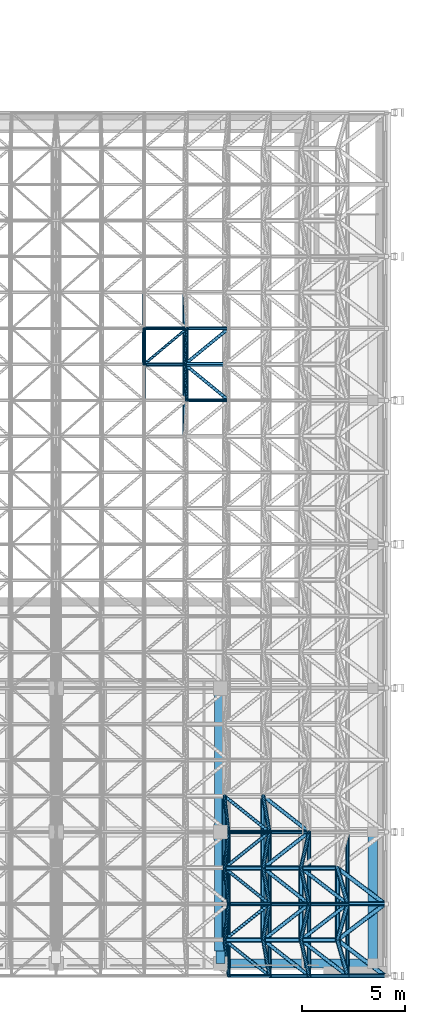
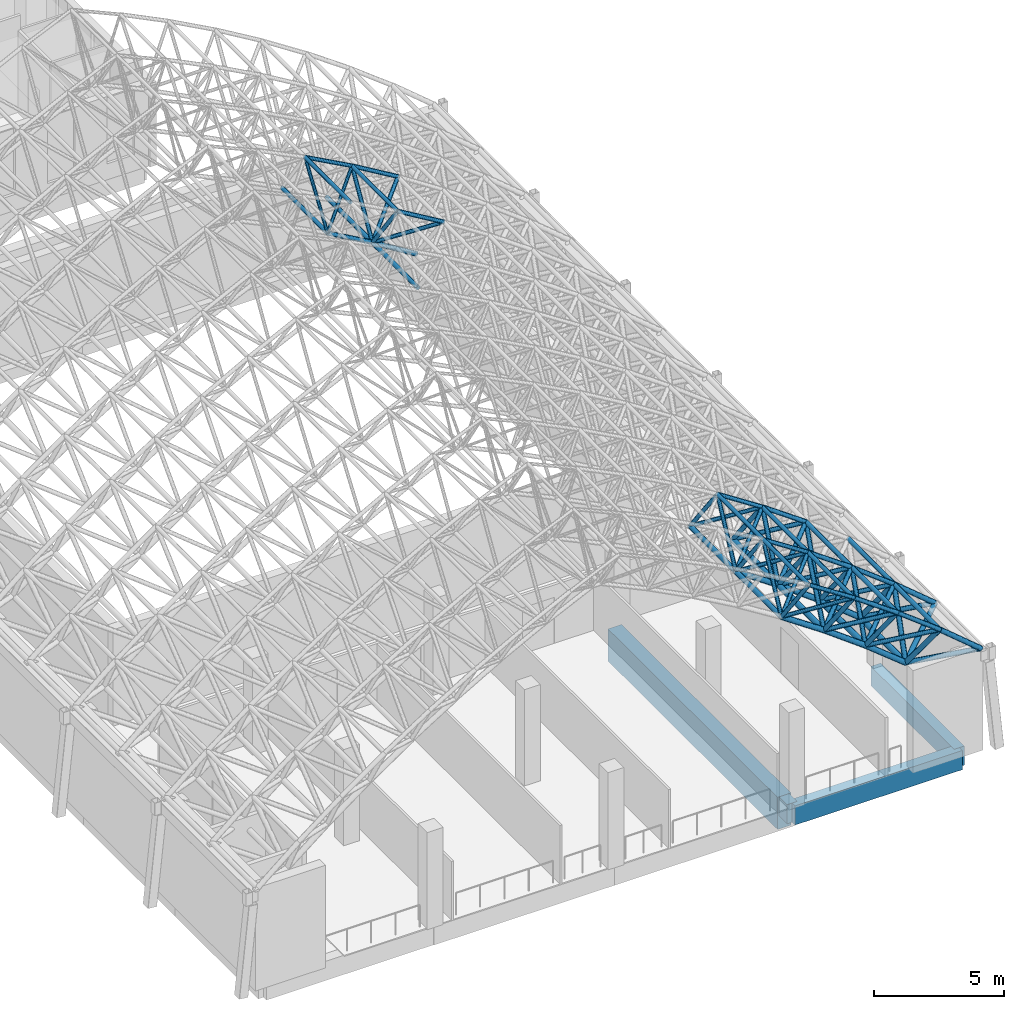
# One storey, part 47 of 141: 79 members, 4 beams.
"""IFC4 building model written with IfcOpenShell, lengths in metres."""

from ifc_helpers import new_model, si_unit, direction, frame, origin, origin_2d, place, context, subcontext, project, spatial, rectangle, hollow_circle, extrude, material, material_profile, profile_set, type_object, element, save


model = new_model("IFC4")

# Units and contexts
model_context = context("Model", 3, precision=1e-05, world=origin(), true_north=direction((0.0, 1.0)))
body_context = subcontext(model_context, "Body", "Model", "MODEL_VIEW")
ifc_project = project(units=[si_unit("LENGTHUNIT", "METRE"), si_unit("AREAUNIT", "SQUARE_METRE"), si_unit("VOLUMEUNIT", "CUBIC_METRE"), si_unit("PLANEANGLEUNIT", "RADIAN"), si_unit("MASSUNIT", "GRAM", prefix="KILO")], contexts=[model_context])

# Site, building, storey
site_placement = place(None, origin())
site = spatial("IfcSite", under=ifc_project, at=site_placement, CompositionType="ELEMENT")
building_placement = place(site_placement, origin())
building = spatial("IfcBuilding", under=site, at=building_placement, Name="Lantern Court Media Centre", CompositionType="ELEMENT")
storey_placement = place(building_placement, frame((0.0, 0.0, 9.60009765625)))
storey = spatial("IfcBuildingStorey", under=building, at=storey_placement, Name="L02", CompositionType="ELEMENT", Elevation=9.60009765625)

# Beams
ifc_material_1 = material(Name="Concrete C35", Category="concrete")
ifc_material_profile_1 = material_profile(ifc_material_1, rectangle(XDim=0.449951171875, YDim=0.89990234375, at=origin_2d()), Name="RC 450x900")
ifc_profile_set_1 = profile_set([ifc_material_profile_1], Name="Concrete C35")
beam_type_1 = type_object("IfcBeamType", Name="RC BEAM 450x900", PredefinedType="BEAM", material=ifc_profile_set_1)
beam_1_placement = place(storey_placement, frame((96.0, -1.39990234375, -0.4501953125), z_axis=(1.0, 0.0, 0.0), x_axis=(0.0, 1.0, 0.0)))
element("IfcBeam", 1, at=beam_1_placement, inside=storey, type_object=beam_type_1, Name="HB-V2-L02-FX0-3", PredefinedType="BEAM", context=body_context, shape_type="SweptSolid", body=[
    extrude(rectangle(XDim=0.449951171875, YDim=0.89990234375, at=origin_2d()), origin(), (0.0, 0.0, 1.0), 7.39990234375),
])
beam_2_placement = place(storey_placement, frame((96.0, -1.39990234375, -0.4501953125), z_axis=(0.0, 1.0, 0.0), x_axis=(-1.0, 0.0, 0.0)))
element("IfcBeam", 2, at=beam_2_placement, inside=storey, type_object=beam_type_1, Name="HB-V2-L02-FY3-0", PredefinedType="BEAM", context=body_context, shape_type="SweptSolid", body=[
    extrude(rectangle(XDim=0.449951171875, YDim=0.89990234375, at=origin_2d()), origin(), (0.0, 0.0, 1.0), 0.599853515625),
])
beam_3_placement = place(storey_placement, frame((103.39990234375, -1.39990234375, -0.4501953125), z_axis=(0.0, 1.0, 0.0), x_axis=(-1.0, 0.0, 0.0)))
element("IfcBeam", 3, at=beam_3_placement, inside=storey, type_object=beam_type_1, Name="HB-V2-L02-FY4-0", PredefinedType="BEAM", context=body_context, shape_type="SweptSolid", body=[
    extrude(rectangle(XDim=0.449951171875, YDim=0.89990234375, at=origin_2d()), origin(), (0.0, 0.0, 1.0), 6.39990234375),
])
ifc_material_profile_2 = material_profile(ifc_material_1, rectangle(XDim=0.60009765625, YDim=1.5, at=origin_2d()), Name="RC 600x1500")
ifc_profile_set_2 = profile_set([ifc_material_profile_2], Name="Concrete C35")
beam_type_2 = type_object("IfcBeamType", Name="RC BEAM 600x1500", PredefinedType="BEAM", material=ifc_profile_set_2)
beam_4_placement = place(storey_placement, frame((96.0, -0.800048828125, -0.75), z_axis=(0.0, 1.0, 0.0), x_axis=(-1.0, 0.0, 0.0)))
element("IfcBeam", 4, at=beam_4_placement, inside=storey, type_object=beam_type_2, Name="TR-V2-L02-31", PredefinedType="BEAM", context=body_context, shape_type="SweptSolid", body=[
    extrude(rectangle(XDim=0.60009765625, YDim=1.5, at=origin_2d()), origin(), (0.0, 0.0, 1.0), 13.0),
])

# Members
ifc_material_2 = material(Name="Steel S355J2 (EN 10025-2)", Category="steel")
ifc_material_profile_3 = material_profile(ifc_material_2, hollow_circle(Radius=0.0888671875, WallThickness=0.008056640625, at=origin_2d()), Name="Studio Hall bottom CHS 177.8x8")
ifc_profile_set_3 = profile_set([ifc_material_profile_3], Name="Steel S355J2 (EN 10025-2)")
member_type_1 = type_object("IfcMemberType", Name="Studio Hall bottom CHS 177.8x8", PredefinedType="CHORD", material=ifc_profile_set_3)
member_1_placement = place(storey_placement, frame((92.275634765625, 27.75, 10.2939453125), z_axis=(0.0, 1.0, 0.0), x_axis=(-1.0, 0.0, 0.0)))
element("IfcMember", 5, at=member_1_placement, inside=storey, type_object=member_type_1, Name="Studio Hall bottom chord 11-09", PredefinedType="CHORD", context=body_context, shape_type="SweptSolid", body=[
    extrude(hollow_circle(Radius=0.0888671875, WallThickness=0.008056640625, at=origin_2d()), origin(), (0.0, 0.0, 1.0), 3.5),
])
ifc_material_profile_4 = material_profile(ifc_material_2, hollow_circle(Radius=0.096923828125, WallThickness=0.008056640625, at=origin_2d()), Name="Studio Hall bottom CHS 193.7x8")
ifc_profile_set_4 = profile_set([ifc_material_profile_4], Name="Steel S355J2 (EN 10025-2)")
member_type_2 = type_object("IfcMemberType", Name="Studio Hall bottom CHS 193.7x8", PredefinedType="CHORD", material=ifc_profile_set_4)
for number, where, z_axis, x_axis, name in (
    (6, (94.25634765625, 24.25, 9.162109375), (0.0, 1.0, 0.0), (-1.0, 0.0, 0.0), "Studio Hall bottom chord 12-08"),
    (7, (94.25634765625, 27.75, 9.162109375), (0.0, 1.0, 0.0), (-1.0, 0.0, 0.0), "Studio Hall bottom chord 12-09"),
):
    element("IfcMember", number, at=place(storey_placement, frame(where, z_axis=z_axis, x_axis=x_axis)), inside=storey, type_object=member_type_2, Name=name, PredefinedType="CHORD", context=body_context, shape_type="SweptSolid", body=[
        extrude(hollow_circle(Radius=0.096923828125, WallThickness=0.008056640625, at=origin_2d()), origin(), (0.0, 0.0, 1.0), 3.5),
    ])
member_2_placement = place(storey_placement, frame((92.275634765625, 27.75, 10.2939453125), z_axis=(0.868243142124, 0.0, -0.496138938357), x_axis=(0.0, 1.0, 0.0)))
element("IfcMember", 8, at=member_2_placement, inside=storey, type_object=member_type_2, Name="Studio Hall bottom chord 11-09 across", PredefinedType="CHORD", context=body_context, shape_type="SweptSolid", body=[
    extrude(hollow_circle(Radius=0.096923828125, WallThickness=0.008056640625, at=origin_2d()), origin(), (0.0, 0.0, 1.0), 2.28125),
])
ifc_material_profile_5 = material_profile(ifc_material_2, hollow_circle(Radius=0.109619140625, WallThickness=0.010009765625, at=origin_2d()), Name="Studio Hall bottom CHS 219.1x10")
ifc_profile_set_5 = profile_set([ifc_material_profile_5], Name="Steel S355J2 (EN 10025-2)")
member_type_3 = type_object("IfcMemberType", Name="Studio Hall bottom CHS 219.1x10", PredefinedType="CHORD", material=ifc_profile_set_5)
for number, where, z_axis, x_axis, name in (
    (9, (96.19091796875, -0.25, 7.953125), (0.0, 1.0, 0.0), (-1.0, 0.0, 0.0), "Studio Hall bottom chord 13-01"),
    (10, (96.19091796875, 3.25, 7.953125), (0.0, 1.0, 0.0), (-1.0, 0.0, 0.0), "Studio Hall bottom chord 13-02"),
):
    element("IfcMember", number, at=place(storey_placement, frame(where, z_axis=z_axis, x_axis=x_axis)), inside=storey, type_object=member_type_3, Name=name, PredefinedType="CHORD", context=body_context, shape_type="SweptSolid", body=[
        extrude(hollow_circle(Radius=0.109619140625, WallThickness=0.010009765625, at=origin_2d()), origin(), (0.0, 0.0, 1.0), 3.5),
    ])
member_3_placement = place(storey_placement, frame((94.25634765625, 27.75, 9.162109375), z_axis=(0.848022352453, 0.0, -0.529960460544), x_axis=(0.0, 1.0, 0.0)))
element("IfcMember", 11, at=member_3_placement, inside=storey, type_object=member_type_3, Name="Studio Hall bottom chord 12-09 across", PredefinedType="CHORD", context=body_context, shape_type="SweptSolid", body=[
    extrude(hollow_circle(Radius=0.109619140625, WallThickness=0.010009765625, at=origin_2d()), origin(), (0.0, 0.0, 1.0), 2.28125),
])
ifc_material_profile_6 = material_profile(ifc_material_2, hollow_circle(Radius=0.122314453125, WallThickness=0.012451171875, at=origin_2d()), Name="Studio Hall bottom CHS 244.5x12.5")
ifc_profile_set_6 = profile_set([ifc_material_profile_6], Name="Steel S355J2 (EN 10025-2)")
member_type_4 = type_object("IfcMemberType", Name="Studio Hall bottom CHS 244.5x12.5", PredefinedType="CHORD", material=ifc_profile_set_6)
for number, where, z_axis, x_axis, name in (
    (12, (98.076171875, -0.25, 6.66845703125), (0.0, 1.0, 0.0), (-1.0, 0.0, 0.0), "Studio Hall bottom chord 14-01"),
    (13, (98.076171875, 3.25, 6.66845703125), (0.0, 1.0, 0.0), (-1.0, 0.0, 0.0), "Studio Hall bottom chord 14-02"),
):
    element("IfcMember", number, at=place(storey_placement, frame(where, z_axis=z_axis, x_axis=x_axis)), inside=storey, type_object=member_type_4, Name=name, PredefinedType="CHORD", context=body_context, shape_type="SweptSolid", body=[
        extrude(hollow_circle(Radius=0.122314453125, WallThickness=0.012451171875, at=origin_2d()), origin(), (0.0, 0.0, 1.0), 3.5),
    ])
for number, where, z_axis, x_axis, name in (
    (14, (96.19091796875, -0.25, 7.953125), (0.826376743552, 0.0, -0.563117641099), (0.0, 1.0, 0.0), "Studio Hall bottom chord 13-01 across"),
    (15, (96.19091796875, 3.25, 7.953125), (0.826376743552, 0.0, -0.563117641099), (0.0, 1.0, 0.0), "Studio Hall bottom chord 13-02 across"),
):
    element("IfcMember", number, at=place(storey_placement, frame(where, z_axis=z_axis, x_axis=x_axis)), inside=storey, type_object=member_type_4, Name=name, PredefinedType="CHORD", context=body_context, shape_type="SweptSolid", body=[
        extrude(hollow_circle(Radius=0.122314453125, WallThickness=0.012451171875, at=origin_2d()), origin(), (0.0, 0.0, 1.0), 2.28125),
    ])
ifc_material_profile_7 = material_profile(ifc_material_2, hollow_circle(Radius=0.122314453125, WallThickness=0.01611328125, at=origin_2d()), Name="Studio Hall bottom CHS 244.5x16")
ifc_profile_set_7 = profile_set([ifc_material_profile_7], Name="Steel S355J2 (EN 10025-2)")
member_type_5 = type_object("IfcMemberType", Name="Studio Hall bottom CHS 244.5x16", PredefinedType="CHORD", material=ifc_profile_set_7)
member_4_placement = place(storey_placement, frame((99.909423828125, -0.25, 5.310546875), z_axis=(0.0, 1.0, 0.0), x_axis=(-1.0, 0.0, 0.0)))
element("IfcMember", 16, at=member_4_placement, inside=storey, type_object=member_type_5, Name="Studio Hall bottom chord 15-01", PredefinedType="CHORD", context=body_context, shape_type="SweptSolid", body=[
    extrude(hollow_circle(Radius=0.122314453125, WallThickness=0.01611328125, at=origin_2d()), origin(), (0.0, 0.0, 1.0), 3.5),
])
for number, where, z_axis, x_axis, name in (
    (17, (98.076171875, -0.25, 6.66845703125), (0.803568567589, 0.0, -0.59521219509), (0.0, 1.0, 0.0), "Studio Hall bottom chord 14-01 across"),
    (18, (98.076171875, 3.25, 6.66845703125), (0.803568567589, 0.0, -0.59521219509), (0.0, 1.0, 0.0), "Studio Hall bottom chord 14-02 across"),
):
    element("IfcMember", number, at=place(storey_placement, frame(where, z_axis=z_axis, x_axis=x_axis)), inside=storey, type_object=member_type_5, Name=name, PredefinedType="CHORD", context=body_context, shape_type="SweptSolid", body=[
        extrude(hollow_circle(Radius=0.122314453125, WallThickness=0.01611328125, at=origin_2d()), origin(), (0.0, 0.0, 1.0), 2.281494140625),
    ])
ifc_material_profile_8 = material_profile(ifc_material_2, hollow_circle(Radius=0.122314453125, WallThickness=0.02001953125, at=origin_2d()), Name="Studio Hall bottom CHS 244.5x20")
ifc_profile_set_8 = profile_set([ifc_material_profile_8], Name="Steel S355J2 (EN 10025-2)")
member_type_6 = type_object("IfcMemberType", Name="Studio Hall bottom CHS 244.5x20", PredefinedType="CHORD", material=ifc_profile_set_8)
member_5_placement = place(storey_placement, frame((101.6875, -0.25, 3.881591796875), z_axis=(0.0, 1.0, 0.0), x_axis=(-1.0, 0.0, 0.0)))
element("IfcMember", 19, at=member_5_placement, inside=storey, type_object=member_type_6, Name="Studio Hall bottom chord 16-01", PredefinedType="CHORD", context=body_context, shape_type="SweptSolid", body=[
    extrude(hollow_circle(Radius=0.122314453125, WallThickness=0.02001953125, at=origin_2d()), origin(), (0.0, 0.0, 1.0), 3.5),
])
for number, where, z_axis, x_axis, name in (
    (20, (99.909423828125, -0.25, 5.310546875), (0.779478138425, 0.0, -0.626429430757), (0.0, 1.0, 0.0), "Studio Hall bottom chord 15-01 across"),
    (21, (99.909423828125, 3.25, 5.310546875), (0.779478138425, 0.0, -0.626429430757), (0.0, 1.0, 0.0), "Studio Hall bottom chord 15-02 across"),
):
    element("IfcMember", number, at=place(storey_placement, frame(where, z_axis=z_axis, x_axis=x_axis)), inside=storey, type_object=member_type_6, Name=name, PredefinedType="CHORD", context=body_context, shape_type="SweptSolid", body=[
        extrude(hollow_circle(Radius=0.122314453125, WallThickness=0.02001953125, at=origin_2d()), origin(), (0.0, 0.0, 1.0), 2.281005859375),
    ])
ifc_material_profile_9 = material_profile(ifc_material_2, hollow_circle(Radius=0.06982421875, WallThickness=0.00634765625, at=origin_2d()), Name="Studio Hall diagonal CHS 139.7x6.3")
ifc_profile_set_9 = profile_set([ifc_material_profile_9], Name="Steel S355J2 (EN 10025-2)")
member_type_7 = type_object("IfcMemberType", Name="Studio Hall diagonal CHS 139.7x6.3", PredefinedType="BRACE", material=ifc_profile_set_9)
for number, where, z_axis, x_axis, name in (
    (22, (92.275634765625, 27.75, 10.2939453125), (0.686219606918, 0.575300835367, 0.445119759061), (-0.642456097081, 0.76632249303, 0.0), "Studio Hall diagonal 11-09-3"),
    (23, (92.275634765625, 27.75, 10.2939453125), (0.002728673556, 0.575268589684, 0.817960025957), (-0.999988750725, 0.004743250213, 0.0), "Studio Hall diagonal 11-09-4"),
):
    element("IfcMember", number, at=place(storey_placement, frame(where, z_axis=z_axis, x_axis=x_axis)), inside=storey, type_object=member_type_7, Name=name, PredefinedType="BRACE", context=body_context, shape_type="SweptSolid", body=[
        extrude(hollow_circle(Radius=0.06982421875, WallThickness=0.00634765625, at=origin_2d()), origin(), (0.0, 0.0, 1.0), 3.0419921875),
    ])
ifc_material_profile_10 = material_profile(ifc_material_2, hollow_circle(Radius=0.084228515625, WallThickness=0.00634765625, at=origin_2d()), Name="Studio Hall diagonal CHS 168.3x6.3")
ifc_profile_set_10 = profile_set([ifc_material_profile_10], Name="Steel S355J2 (EN 10025-2)")
member_type_8 = type_object("IfcMemberType", Name="Studio Hall diagonal CHS 168.3x6.3", PredefinedType="BRACE", material=ifc_profile_set_10)
for number, where, z_axis, x_axis, name in (
    (24, (94.25634765625, 27.75, 9.162109375), (0.035073053804, -0.575294392838, 0.817194127773), (0.99814677432, 0.060852419138, 0.0), "Studio Hall diagonal 12-09-1"),
    (25, (94.25634765625, 27.75, 9.162109375), (0.703225463004, -0.575293325589, 0.417745781207), (0.633189685482, 0.77399665516, 0.0), "Studio Hall diagonal 12-09-2"),
    (26, (94.25634765625, 27.75, 9.162109375), (0.703225463004, 0.575293325589, 0.417745781207), (-0.633189685482, 0.77399665516, 0.0), "Studio Hall diagonal 12-09-3"),
    (27, (94.25634765625, 27.75, 9.162109375), (0.035073053804, 0.575294392838, 0.817194127773), (-0.99814677432, 0.060852419138, 0.0), "Studio Hall diagonal 12-09-4"),
):
    element("IfcMember", number, at=place(storey_placement, frame(where, z_axis=z_axis, x_axis=x_axis)), inside=storey, type_object=member_type_8, Name=name, PredefinedType="BRACE", context=body_context, shape_type="SweptSolid", body=[
        extrude(hollow_circle(Radius=0.084228515625, WallThickness=0.00634765625, at=origin_2d()), origin(), (0.0, 0.0, 1.0), 3.0419921875),
    ])
ifc_material_profile_11 = material_profile(ifc_material_2, hollow_circle(Radius=0.084228515625, WallThickness=0.008056640625, at=origin_2d()), Name="Studio Hall diagonal CHS 168.3x8")
ifc_profile_set_11 = profile_set([ifc_material_profile_11], Name="Steel S355J2 (EN 10025-2)")
member_type_9 = type_object("IfcMemberType", Name="Studio Hall diagonal CHS 168.3x8", PredefinedType="BRACE", material=ifc_profile_set_11)
for number, where, z_axis, x_axis, name in (
    (28, (96.19091796875, -0.25, 7.953125), (0.067256187735, -0.575289204878, 0.815180308865), (0.993235466132, 0.116117650756, 0.0), "Studio Hall diagonal 13-01-1"),
    (29, (96.19091796875, -0.25, 7.953125), (0.719205791884, -0.57530042587, 0.38957983638), (0.624652537065, 0.780902815937, 0.0), "Studio Hall diagonal 13-01-2"),
    (30, (96.19091796875, -0.25, 7.953125), (0.719205791884, 0.57530042587, 0.38957983638), (-0.624652537065, 0.780902815937, 0.0), "Studio Hall diagonal 13-01-3"),
    (31, (96.19091796875, -0.25, 7.953125), (0.067256187735, 0.575289204878, 0.815180308865), (-0.993235466132, 0.116117650756, 0.0), "Studio Hall diagonal 13-01-4"),
    (32, (96.19091796875, 3.25, 7.953125), (0.067256187735, -0.575289204878, 0.815180308865), (0.993235466132, 0.116117650756, 0.0), "Studio Hall diagonal 13-02-1"),
    (33, (96.19091796875, 3.25, 7.953125), (0.719205791884, -0.57530042587, 0.38957983638), (0.624652537065, 0.780902815937, 0.0), "Studio Hall diagonal 13-02-2"),
    (34, (96.19091796875, 3.25, 7.953125), (0.719205791884, 0.57530042587, 0.38957983638), (-0.624652537065, 0.780902815937, 0.0), "Studio Hall diagonal 13-02-3"),
    (35, (96.19091796875, 3.25, 7.953125), (0.067256187735, 0.575289204878, 0.815180308865), (-0.993235466132, 0.116117650756, 0.0), "Studio Hall diagonal 13-02-4"),
    (36, (96.19091796875, 6.75, 7.953125), (0.067256187735, -0.575289204878, 0.815180308865), (0.993235466132, 0.116117650756, 0.0), "Studio Hall diagonal 13-03-1"),
    (37, (96.19091796875, 6.75, 7.953125), (0.719205791884, -0.57530042587, 0.38957983638), (0.624652537065, 0.780902815937, 0.0), "Studio Hall diagonal 13-03-2"),
):
    element("IfcMember", number, at=place(storey_placement, frame(where, z_axis=z_axis, x_axis=x_axis)), inside=storey, type_object=member_type_9, Name=name, PredefinedType="BRACE", context=body_context, shape_type="SweptSolid", body=[
        extrude(hollow_circle(Radius=0.084228515625, WallThickness=0.008056640625, at=origin_2d()), origin(), (0.0, 0.0, 1.0), 3.0419921875),
    ])
ifc_material_profile_12 = material_profile(ifc_material_2, hollow_circle(Radius=0.096923828125, WallThickness=0.010009765625, at=origin_2d()), Name="Studio Hall diagonal CHS 193.7x10")
ifc_profile_set_12 = profile_set([ifc_material_profile_12], Name="Steel S355J2 (EN 10025-2)")
member_type_10 = type_object("IfcMemberType", Name="Studio Hall diagonal CHS 193.7x10", PredefinedType="BRACE", material=ifc_profile_set_12)
for number, where, z_axis, x_axis, name in (
    (38, (99.909423828125, -0.25, 5.310546875), (0.13137534314, -0.575258680284, 0.807352444706), (0.97489985117, 0.222643841569, 0.0), "Studio Hall diagonal 15-01-1"),
    (39, (99.909423828125, -0.25, 5.310546875), (0.747676961141, -0.575284291269, 0.331703400644), (0.609809429153, 0.792548080634, 0.0), "Studio Hall diagonal 15-01-2"),
    (40, (99.909423828125, -0.25, 5.310546875), (0.747676961141, 0.575284291269, 0.331703400644), (-0.609809429153, 0.792548080634, 0.0), "Studio Hall diagonal 15-01-3"),
    (41, (99.909423828125, -0.25, 5.310546875), (0.13137534314, 0.575258680284, 0.807352444706), (-0.97489985117, 0.222643841569, 0.0), "Studio Hall diagonal 15-01-4"),
    (42, (99.909423828125, 3.25, 5.310546875), (0.13137534314, -0.575258680284, 0.807352444706), (0.97489985117, 0.222643841569, 0.0), "Studio Hall diagonal 15-02-1"),
    (43, (99.909423828125, 3.25, 5.310546875), (0.747676961141, -0.575284291269, 0.331703400644), (0.609809429153, 0.792548080634, 0.0), "Studio Hall diagonal 15-02-2"),
    (44, (99.909423828125, 3.25, 5.310546875), (0.13137534314, 0.575258680284, 0.807352444706), (-0.97489985117, 0.222643841569, 0.0), "Studio Hall diagonal 15-02-4"),
):
    element("IfcMember", number, at=place(storey_placement, frame(where, z_axis=z_axis, x_axis=x_axis)), inside=storey, type_object=member_type_10, Name=name, PredefinedType="BRACE", context=body_context, shape_type="SweptSolid", body=[
        extrude(hollow_circle(Radius=0.096923828125, WallThickness=0.010009765625, at=origin_2d()), origin(), (0.0, 0.0, 1.0), 3.0419921875),
    ])
ifc_material_profile_13 = material_profile(ifc_material_2, hollow_circle(Radius=0.096923828125, WallThickness=0.008056640625, at=origin_2d()), Name="Studio Hall diagonal CHS 193.7x8")
ifc_profile_set_13 = profile_set([ifc_material_profile_13], Name="Steel S355J2 (EN 10025-2)")
member_type_11 = type_object("IfcMemberType", Name="Studio Hall diagonal CHS 193.7x8", PredefinedType="BRACE", material=ifc_profile_set_13)
for number, where, z_axis, x_axis, name in (
    (45, (98.076171875, -0.25, 6.66845703125), (0.099439098635, -0.575286084759, 0.811885328323), (0.985387799185, 0.170325820758, 0.0), "Studio Hall diagonal 14-01-1"),
    (46, (98.076171875, -0.25, 6.66845703125), (0.734005385991, -0.57526247614, 0.360983624118), (0.616855729008, 0.787076241282, 0.0), "Studio Hall diagonal 14-01-2"),
    (47, (98.076171875, -0.25, 6.66845703125), (0.734005385991, 0.57526247614, 0.360983624118), (-0.616855729008, 0.787076241282, 0.0), "Studio Hall diagonal 14-01-3"),
    (48, (98.076171875, -0.25, 6.66845703125), (0.099439098635, 0.575286084759, 0.811885328323), (-0.985387799185, 0.170325820758, 0.0), "Studio Hall diagonal 14-01-4"),
    (49, (98.076171875, 3.25, 6.66845703125), (0.099439098635, -0.575286084759, 0.811885328323), (0.985387799185, 0.170325820758, 0.0), "Studio Hall diagonal 14-02-1"),
    (50, (98.076171875, 3.25, 6.66845703125), (0.734005385991, -0.57526247614, 0.360983624118), (0.616855729008, 0.787076241282, 0.0), "Studio Hall diagonal 14-02-2"),
    (51, (98.076171875, 3.25, 6.66845703125), (0.734005385991, 0.57526247614, 0.360983624118), (-0.616855729008, 0.787076241282, 0.0), "Studio Hall diagonal 14-02-3"),
    (52, (98.076171875, 3.25, 6.66845703125), (0.099439098635, 0.575286084759, 0.811885328323), (-0.985387799185, 0.170325820758, 0.0), "Studio Hall diagonal 14-02-4"),
    (53, (98.076171875, 6.75, 6.66845703125), (0.099439098635, -0.575286084759, 0.811885328323), (0.985387799185, 0.170325820758, 0.0), "Studio Hall diagonal 14-03-1"),
    (54, (98.076171875, 6.75, 6.66845703125), (0.734005385991, -0.57526247614, 0.360983624118), (0.616855729008, 0.787076241282, 0.0), "Studio Hall diagonal 14-03-2"),
):
    element("IfcMember", number, at=place(storey_placement, frame(where, z_axis=z_axis, x_axis=x_axis)), inside=storey, type_object=member_type_11, Name=name, PredefinedType="BRACE", context=body_context, shape_type="SweptSolid", body=[
        extrude(hollow_circle(Radius=0.096923828125, WallThickness=0.008056640625, at=origin_2d()), origin(), (0.0, 0.0, 1.0), 3.0419921875),
    ])
ifc_material_profile_14 = material_profile(ifc_material_2, hollow_circle(Radius=0.109619140625, WallThickness=0.010009765625, at=origin_2d()), Name="Studio Hall diagonal CHS 219.1x10")
ifc_profile_set_14 = profile_set([ifc_material_profile_14], Name="Steel S355J2 (EN 10025-2)")
member_type_12 = type_object("IfcMemberType", Name="Studio Hall diagonal CHS 219.1x10", PredefinedType="BRACE", material=ifc_profile_set_14)
member_6_placement = place(storey_placement, frame((101.6875, -0.25, 3.881591796875), z_axis=(0.163171626005, -0.575314419679, 0.801491321835), x_axis=(0.962053941871, 0.2728593281, 0.0)))
element("IfcMember", 55, at=member_6_placement, inside=storey, type_object=member_type_12, Name="Studio Hall diagonal 16-01-1", PredefinedType="BRACE", context=body_context, shape_type="SweptSolid", body=[
    extrude(hollow_circle(Radius=0.109619140625, WallThickness=0.010009765625, at=origin_2d()), origin(), (0.0, 0.0, 1.0), 3.041748046875),
])
for number, where, z_axis, x_axis, name in (
    (56, (101.6875, -0.25, 3.881591796875), (0.760210907984, -0.575294741177, 0.301853169862), (0.603442670186, 0.797406385602, 0.0), "Studio Hall diagonal 16-01-2"),
    (57, (101.6875, -0.25, 3.881591796875), (0.760210907984, 0.575294741177, 0.301853169862), (-0.603442670186, 0.797406385602, 0.0), "Studio Hall diagonal 16-01-3"),
):
    element("IfcMember", number, at=place(storey_placement, frame(where, z_axis=z_axis, x_axis=x_axis)), inside=storey, type_object=member_type_12, Name=name, PredefinedType="BRACE", context=body_context, shape_type="SweptSolid", body=[
        extrude(hollow_circle(Radius=0.109619140625, WallThickness=0.010009765625, at=origin_2d()), origin(), (0.0, 0.0, 1.0), 3.0419921875),
    ])
for number, where, z_axis, x_axis, name in (
    (58, (101.6875, -0.25, 3.881591796875), (0.163171626005, 0.575314419679, 0.801491321835), (-0.962053941871, 0.2728593281, 0.0), "Studio Hall diagonal 16-01-4"),
    (59, (101.6875, 3.25, 3.881591796875), (0.163171626005, -0.575314419679, 0.801491321835), (0.962053941871, 0.2728593281, 0.0), "Studio Hall diagonal 16-02-1"),
):
    element("IfcMember", number, at=place(storey_placement, frame(where, z_axis=z_axis, x_axis=x_axis)), inside=storey, type_object=member_type_12, Name=name, PredefinedType="BRACE", context=body_context, shape_type="SweptSolid", body=[
        extrude(hollow_circle(Radius=0.109619140625, WallThickness=0.010009765625, at=origin_2d()), origin(), (0.0, 0.0, 1.0), 3.041748046875),
    ])
member_7_placement = place(storey_placement, frame((101.6875, 3.25, 3.881591796875), z_axis=(0.760210907984, -0.575294741177, 0.301853169862), x_axis=(0.603442670186, 0.797406385602, 0.0)))
element("IfcMember", 60, at=member_7_placement, inside=storey, type_object=member_type_12, Name="Studio Hall diagonal 16-02-2", PredefinedType="BRACE", context=body_context, shape_type="SweptSolid", body=[
    extrude(hollow_circle(Radius=0.109619140625, WallThickness=0.010009765625, at=origin_2d()), origin(), (0.0, 0.0, 1.0), 3.0419921875),
])
ifc_material_profile_15 = material_profile(ifc_material_2, hollow_circle(Radius=0.084228515625, WallThickness=0.00634765625, at=origin_2d()), Name="Studio Hall top CHS 168.3x6.3")
ifc_profile_set_15 = profile_set([ifc_material_profile_15], Name="Steel S355J2 (EN 10025-2)")
member_type_13 = type_object("IfcMemberType", Name="Studio Hall top CHS 168.3x6.3", PredefinedType="CHORD", material=ifc_profile_set_15)
for number, where, z_axis, x_axis, name in (
    (61, (92.283935546875, 26.0, 12.7822265625), (0.0, 1.0, 0.0), (-1.0, 0.0, 0.0), "Studio Hall top chord 11-09"),
    (62, (94.363037109375, 26.0, 11.64794921875), (0.0, 1.0, 0.0), (-1.0, 0.0, 0.0), "Studio Hall top chord 12-09"),
):
    element("IfcMember", number, at=place(storey_placement, frame(where, z_axis=z_axis, x_axis=x_axis)), inside=storey, type_object=member_type_13, Name=name, PredefinedType="CHORD", context=body_context, shape_type="SweptSolid", body=[
        extrude(hollow_circle(Radius=0.084228515625, WallThickness=0.00634765625, at=origin_2d()), origin(), (0.0, 0.0, 1.0), 3.5),
    ])
member_8_placement = place(storey_placement, frame((92.283935546875, 29.5, 12.7822265625), z_axis=(0.877856175106, 0.0, -0.478924352929), x_axis=(0.0, 1.0, 0.0)))
element("IfcMember", 63, at=member_8_placement, inside=storey, type_object=member_type_13, Name="Studio Hall top chord 11-10 across", PredefinedType="CHORD", context=body_context, shape_type="SweptSolid", body=[
    extrude(hollow_circle(Radius=0.084228515625, WallThickness=0.00634765625, at=origin_2d()), origin(), (0.0, 0.0, 1.0), 2.368408203125),
])
ifc_material_profile_16 = material_profile(ifc_material_2, hollow_circle(Radius=0.0888671875, WallThickness=0.010009765625, at=origin_2d()), Name="Studio Hall top CHS 177.8x10")
ifc_profile_set_16 = profile_set([ifc_material_profile_16], Name="Steel S355J2 (EN 10025-2)")
member_type_14 = type_object("IfcMemberType", Name="Studio Hall top CHS 177.8x10", PredefinedType="CHORD", material=ifc_profile_set_16)
for number, where, z_axis, x_axis, name in (
    (64, (98.378662109375, -2.0, 9.13818359375), (0.0, 1.0, 0.0), (-1.0, 0.0, 0.0), "Studio Hall top chord 14-01"),
    (65, (98.378662109375, 1.5, 9.13818359375), (0.0, 1.0, 0.0), (-1.0, 0.0, 0.0), "Studio Hall top chord 14-02"),
):
    element("IfcMember", number, at=place(storey_placement, frame(where, z_axis=z_axis, x_axis=x_axis)), inside=storey, type_object=member_type_14, Name=name, PredefinedType="CHORD", context=body_context, shape_type="SweptSolid", body=[
        extrude(hollow_circle(Radius=0.0888671875, WallThickness=0.010009765625, at=origin_2d()), origin(), (0.0, 0.0, 1.0), 3.5),
    ])
for number, where, z_axis, x_axis, name in (
    (66, (96.3955078125, -2.0, 10.432861328125), (0.837356212506, 0.0, -0.546657638178), (0.0, 1.0, 0.0), "Studio Hall top chord 13-01 across"),
    (67, (96.3955078125, 1.5, 10.432861328125), (0.837356212506, 0.0, -0.546657638178), (0.0, 1.0, 0.0), "Studio Hall top chord 13-02 across"),
    (68, (96.3955078125, 5.0, 10.432861328125), (0.837356212506, 0.0, -0.546657638178), (0.0, 1.0, 0.0), "Studio Hall top chord 13-03 across"),
):
    element("IfcMember", number, at=place(storey_placement, frame(where, z_axis=z_axis, x_axis=x_axis)), inside=storey, type_object=member_type_14, Name=name, PredefinedType="CHORD", context=body_context, shape_type="SweptSolid", body=[
        extrude(hollow_circle(Radius=0.0888671875, WallThickness=0.010009765625, at=origin_2d()), origin(), (0.0, 0.0, 1.0), 2.368408203125),
    ])
ifc_material_profile_17 = material_profile(ifc_material_2, hollow_circle(Radius=0.0888671875, WallThickness=0.008056640625, at=origin_2d()), Name="Studio Hall top CHS 177.8x8")
ifc_profile_set_17 = profile_set([ifc_material_profile_17], Name="Steel S355J2 (EN 10025-2)")
member_type_15 = type_object("IfcMemberType", Name="Studio Hall top CHS 177.8x8", PredefinedType="CHORD", material=ifc_profile_set_17)
for number, where, z_axis, x_axis, name in (
    (69, (96.3955078125, -2.0, 10.432861328125), (0.0, 1.0, 0.0), (-1.0, 0.0, 0.0), "Studio Hall top chord 13-01"),
    (70, (96.3955078125, 1.5, 10.432861328125), (0.0, 1.0, 0.0), (-1.0, 0.0, 0.0), "Studio Hall top chord 13-02"),
):
    element("IfcMember", number, at=place(storey_placement, frame(where, z_axis=z_axis, x_axis=x_axis)), inside=storey, type_object=member_type_15, Name=name, PredefinedType="CHORD", context=body_context, shape_type="SweptSolid", body=[
        extrude(hollow_circle(Radius=0.0888671875, WallThickness=0.008056640625, at=origin_2d()), origin(), (0.0, 0.0, 1.0), 3.5),
    ])
for number, where, z_axis, x_axis, name in (
    (71, (94.363037109375, 26.0, 11.64794921875), (0.858310578199, 0.0, -0.513130540264), (0.0, 1.0, 0.0), "Studio Hall top chord 12-09 across"),
    (72, (94.363037109375, 29.5, 11.64794921875), (0.858310578199, 0.0, -0.513130540264), (0.0, 1.0, 0.0), "Studio Hall top chord 12-10 across"),
):
    element("IfcMember", number, at=place(storey_placement, frame(where, z_axis=z_axis, x_axis=x_axis)), inside=storey, type_object=member_type_15, Name=name, PredefinedType="CHORD", context=body_context, shape_type="SweptSolid", body=[
        extrude(hollow_circle(Radius=0.0888671875, WallThickness=0.008056640625, at=origin_2d()), origin(), (0.0, 0.0, 1.0), 2.367919921875),
    ])
ifc_material_profile_18 = material_profile(ifc_material_2, hollow_circle(Radius=0.096923828125, WallThickness=0.010009765625, at=origin_2d()), Name="Studio Hall top CHS 193.7x10")
ifc_profile_set_18 = profile_set([ifc_material_profile_18], Name="Steel S355J2 (EN 10025-2)")
member_type_16 = type_object("IfcMemberType", Name="Studio Hall top CHS 193.7x10", PredefinedType="CHORD", material=ifc_profile_set_18)
for number, where, z_axis, x_axis, name in (
    (73, (100.30908203125, -2.0, 7.7666015625), (0.0, 1.0, 0.0), (-1.0, 0.0, 0.0), "Studio Hall top chord 15-01"),
    (74, (100.30908203125, 1.5, 7.7666015625), (0.0, 1.0, 0.0), (-1.0, 0.0, 0.0), "Studio Hall top chord 15-02"),
):
    element("IfcMember", number, at=place(storey_placement, frame(where, z_axis=z_axis, x_axis=x_axis)), inside=storey, type_object=member_type_16, Name=name, PredefinedType="CHORD", context=body_context, shape_type="SweptSolid", body=[
        extrude(hollow_circle(Radius=0.096923828125, WallThickness=0.010009765625, at=origin_2d()), origin(), (0.0, 0.0, 1.0), 3.5),
    ])
for number, where, z_axis, x_axis, name in (
    (75, (98.378662109375, -2.0, 9.13818359375), (0.815186813221, 0.0, -0.579198117703), (0.0, 1.0, 0.0), "Studio Hall top chord 14-01 across"),
    (76, (98.378662109375, 1.5, 9.13818359375), (0.815186813221, 0.0, -0.579198117703), (0.0, 1.0, 0.0), "Studio Hall top chord 14-02 across"),
    (77, (98.378662109375, 5.0, 9.13818359375), (0.815186813221, 0.0, -0.579198117703), (0.0, 1.0, 0.0), "Studio Hall top chord 14-03 across"),
):
    element("IfcMember", number, at=place(storey_placement, frame(where, z_axis=z_axis, x_axis=x_axis)), inside=storey, type_object=member_type_16, Name=name, PredefinedType="CHORD", context=body_context, shape_type="SweptSolid", body=[
        extrude(hollow_circle(Radius=0.096923828125, WallThickness=0.010009765625, at=origin_2d()), origin(), (0.0, 0.0, 1.0), 2.3681640625),
    ])
ifc_material_profile_19 = material_profile(ifc_material_2, hollow_circle(Radius=0.096923828125, WallThickness=0.012451171875, at=origin_2d()), Name="Studio Hall top CHS 193.7x12.5")
ifc_profile_set_19 = profile_set([ifc_material_profile_19], Name="Steel S355J2 (EN 10025-2)")
member_type_17 = type_object("IfcMemberType", Name="Studio Hall top CHS 193.7x12.5", PredefinedType="CHORD", material=ifc_profile_set_19)
for number, where, z_axis, x_axis, name in (
    (78, (102.183837890625, -2.0, 6.319580078125), (0.0, 1.0, 0.0), (-1.0, 0.0, 0.0), "Studio Hall top chord 16-01"),
    (79, (102.183837890625, 1.5, 6.319580078125), (0.0, 1.0, 0.0), (-1.0, 0.0, 0.0), "Studio Hall top chord 16-02"),
):
    element("IfcMember", number, at=place(storey_placement, frame(where, z_axis=z_axis, x_axis=x_axis)), inside=storey, type_object=member_type_17, Name=name, PredefinedType="CHORD", context=body_context, shape_type="SweptSolid", body=[
        extrude(hollow_circle(Radius=0.096923828125, WallThickness=0.012451171875, at=origin_2d()), origin(), (0.0, 0.0, 1.0), 3.5),
    ])
for number, where, z_axis, x_axis, name in (
    (80, (100.30908203125, -2.0, 7.7666015625), (0.791622688111, 0.0, -0.611010245141), (0.0, 1.0, 0.0), "Studio Hall top chord 15-01 across"),
    (81, (100.30908203125, 1.5, 7.7666015625), (0.791622688111, 0.0, -0.611010245141), (0.0, 1.0, 0.0), "Studio Hall top chord 15-02 across"),
):
    element("IfcMember", number, at=place(storey_placement, frame(where, z_axis=z_axis, x_axis=x_axis)), inside=storey, type_object=member_type_17, Name=name, PredefinedType="CHORD", context=body_context, shape_type="SweptSolid", body=[
        extrude(hollow_circle(Radius=0.096923828125, WallThickness=0.012451171875, at=origin_2d()), origin(), (0.0, 0.0, 1.0), 2.3681640625),
    ])
ifc_material_profile_20 = material_profile(ifc_material_2, hollow_circle(Radius=0.109619140625, WallThickness=0.012451171875, at=origin_2d()), Name="Studio Hall top CHS 219.1x12.5")
ifc_profile_set_20 = profile_set([ifc_material_profile_20], Name="Steel S355J2 (EN 10025-2)")
member_type_18 = type_object("IfcMemberType", Name="Studio Hall top CHS 219.1x12.5", PredefinedType="CHORD", material=ifc_profile_set_20)
for number, where, z_axis, x_axis, name in (
    (82, (102.183837890625, -2.0, 6.319580078125), (0.766909881815, 0.0, -0.641754807675), (0.0, 1.0, 0.0), "Studio Hall top chord 16-01 across"),
    (83, (102.183837890625, 1.5, 6.319580078125), (0.766909881815, 0.0, -0.641754807675), (0.0, 1.0, 0.0), "Studio Hall top chord 16-02 across"),
):
    element("IfcMember", number, at=place(storey_placement, frame(where, z_axis=z_axis, x_axis=x_axis)), inside=storey, type_object=member_type_18, Name=name, PredefinedType="CHORD", context=body_context, shape_type="SweptSolid", body=[
        extrude(hollow_circle(Radius=0.109619140625, WallThickness=0.012451171875, at=origin_2d()), origin(), (0.0, 0.0, 1.0), 2.3681640625),
    ])

save(model, "model.ifc")
